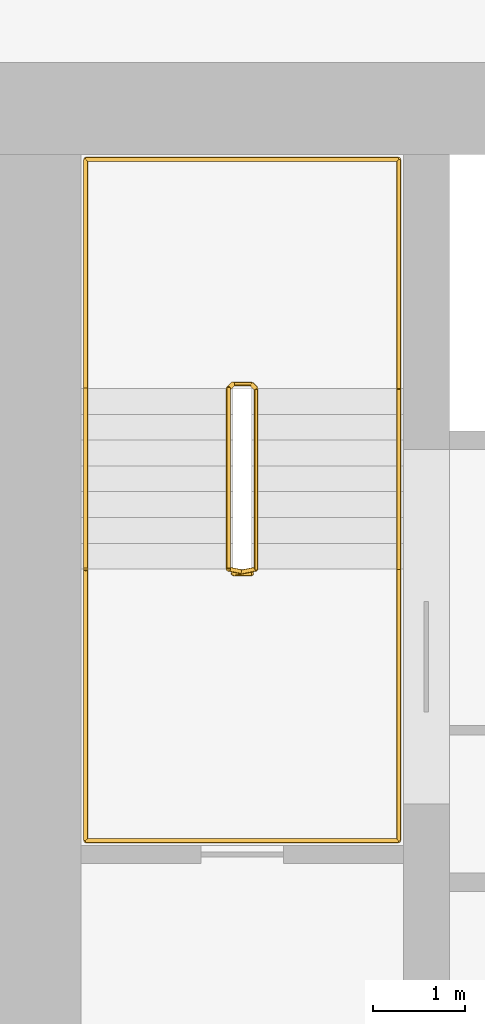
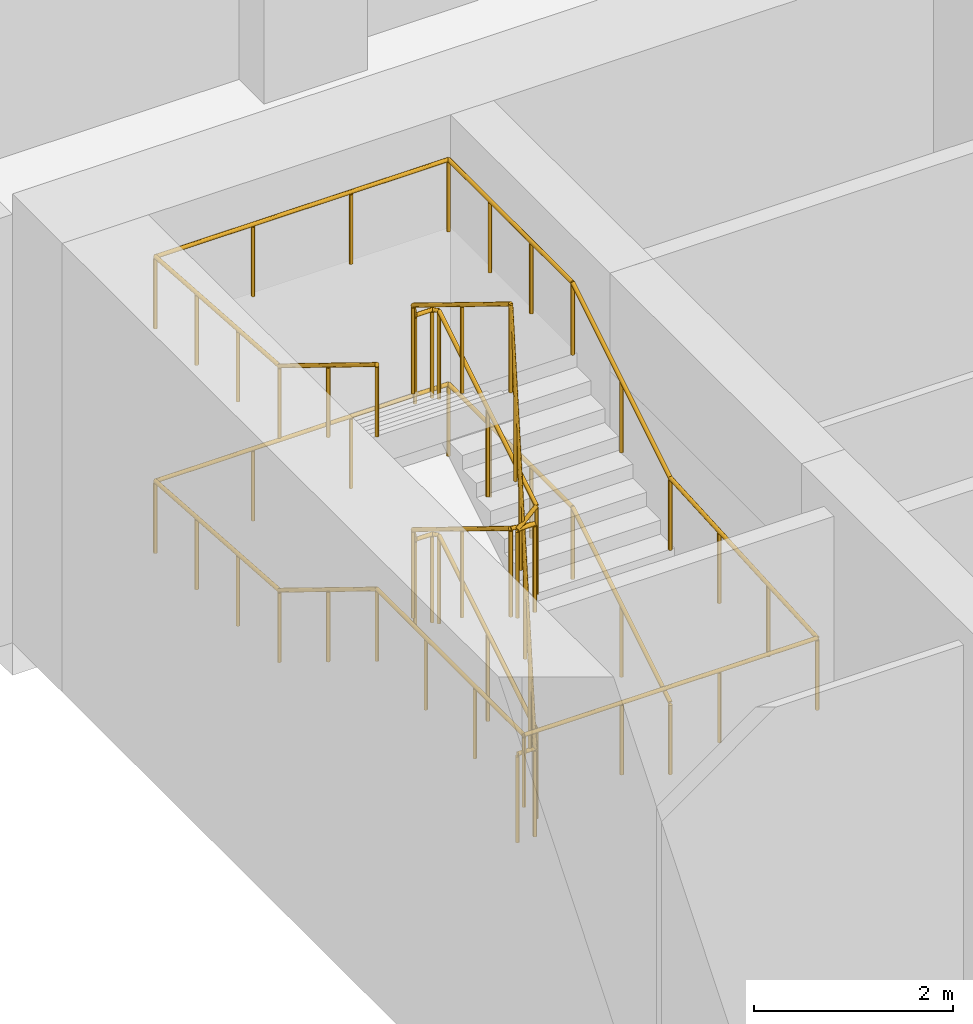
# One storey, part 10 of 10: 2 railings.
"""IFC4 building model written with IfcOpenShell, lengths in metres."""

from ifc_helpers import new_model, si_unit, direction, frame, origin, origin_2d, place, context, subcontext, project, spatial, circle, extrude, material, type_object, element, save


model = new_model("IFC4")

# Units and contexts
model_context = context("Model", 3, precision=1e-05, world=origin(), true_north=direction((0.0, 1.0)))
body_context = subcontext(model_context, "Body", "Model", "MODEL_VIEW")
ifc_project = project(units=[si_unit("LENGTHUNIT", "METRE"), si_unit("AREAUNIT", "SQUARE_METRE"), si_unit("VOLUMEUNIT", "CUBIC_METRE"), si_unit("PLANEANGLEUNIT", "RADIAN"), si_unit("MASSUNIT", "GRAM", prefix="KILO")], contexts=[model_context])

# Site, building, storey
site_placement = place(None, origin())
site = spatial("IfcSite", under=ifc_project, at=site_placement, CompositionType="ELEMENT")
building_placement = place(site_placement, origin())
building = spatial("IfcBuilding", under=site, at=building_placement, Name="Tamorin Gate", CompositionType="ELEMENT")
storey_placement = place(building_placement, frame((0.0, 0.0, 73.60009765625)))
storey = spatial("IfcBuildingStorey", under=building, at=storey_placement, Name="L17", CompositionType="ELEMENT", Elevation=73.60009765625)

# Railings
ifc_material_1 = material(Name="Painted steel balustrade", Category="steel")
railing_type_1 = type_object("IfcRailingType", Name="Stair guard 1100", PredefinedType="GUARDRAIL", material=ifc_material_1)
railing_1_placement = place(storey_placement, frame((32.89990234375, 77.0, 0.171875)))
element("IfcRailing", 1, at=railing_1_placement, inside=storey, type_object=railing_type_1, Name="L17 ST2 stair guard 1", PredefinedType="GUARDRAIL", context=body_context, shape_type="SweptSolid", body=[
    extrude(circle(Radius=0.02392578125, at=origin_2d()), frame((0.0, 0.0, 1.076171875), z_axis=(0.0, 0.852240978134, 0.523149419562), x_axis=(-1.0, 0.0, 0.0)), (0.0, 0.0, 1.0), 2.2998046875),
    extrude(circle(Radius=0.02392578125, at=origin_2d()), frame((0.0, 1.9599609375, 2.279296875), z_axis=(-0.705375805398, 0.708833529934, 0.0), x_axis=(-0.708833529934, -0.705375805398, 0.0)), (0.0, 0.0, 1.0), 0.070556640625),
    extrude(circle(Radius=0.02392578125, at=origin_2d()), frame((-0.0498046875, 2.010009765625, 2.279296875), z_axis=(-1.0, 0.0, 0.0), x_axis=(0.0, -1.0, 0.0)), (0.0, 0.0, 1.0), 0.2001953125),
    extrude(circle(Radius=0.02392578125, at=origin_2d()), frame((-0.25, 2.010009765625, 2.279296875), z_axis=(-0.268036860282, -0.26935076646, 0.924989949209), x_axis=(0.708833529934, -0.705375805398, 0.0)), (0.0, 0.0, 1.0), 0.185791015625),
    extrude(circle(Radius=0.02392578125, at=origin_2d()), frame((-0.2998046875, 1.9599609375, 2.451171875), z_axis=(0.0, -0.852240978134, 0.523149419562), x_axis=(1.0, 0.0, 0.0)), (0.0, 0.0, 1.0), 2.2998046875),
    extrude(circle(Radius=0.02392578125, at=origin_2d()), frame((-0.2998046875, 0.0, 3.654296875), z_axis=(0.98054382908, -0.196300278283, 0.0), x_axis=(0.196300278283, 0.98054382908, 0.0)), (0.0, 0.0, 1.0), 0.2548828125),
    extrude(circle(Radius=0.02392578125, at=origin_2d()), frame((-0.0498046875, -0.050048828125, 3.654296875), z_axis=(-1.0, 0.0, 0.0), x_axis=(0.0, -1.0, 0.0)), (0.0, 0.0, 1.0), 0.2001953125),
    extrude(circle(Radius=0.02392578125, at=origin_2d()), frame((-0.25, -0.050048828125, 3.654296875), z_axis=(0.81305262559, 0.162769324459, 0.558973680093), x_axis=(-0.196300278283, 0.98054382908, 0.0)), (0.0, 0.0, 1.0), 0.307373046875),
    extrude(circle(Radius=0.02392578125, at=origin_2d()), frame((0.0, 0.0, 3.826171875), z_axis=(0.0, 0.852240978134, 0.523149419562), x_axis=(-1.0, 0.0, 0.0)), (0.0, 0.0, 1.0), 2.2998046875),
    extrude(circle(Radius=0.02392578125, at=origin_2d()), frame((0.0, 1.9599609375, 5.029296875), z_axis=(-0.705375805398, 0.708833529934, 0.0), x_axis=(-0.708833529934, -0.705375805398, 0.0)), (0.0, 0.0, 1.0), 0.070556640625),
    extrude(circle(Radius=0.02392578125, at=origin_2d()), frame((-0.0498046875, 2.010009765625, 5.029296875), z_axis=(-1.0, 0.0, 0.0), x_axis=(0.0, -1.0, 0.0)), (0.0, 0.0, 1.0), 0.2001953125),
    extrude(circle(Radius=0.02392578125, at=origin_2d()), frame((-0.25, 2.010009765625, 5.029296875), z_axis=(-0.268036860282, -0.26935076646, 0.924989949209), x_axis=(0.708833529934, -0.705375805398, 0.0)), (0.0, 0.0, 1.0), 0.185791015625),
    extrude(circle(Radius=0.02392578125, at=origin_2d()), frame((-0.2998046875, 1.9599609375, 5.201171875), z_axis=(0.0, -0.852240978134, 0.523149419562), x_axis=(1.0, 0.0, 0.0)), (0.0, 0.0, 1.0), 2.2998046875),
    extrude(circle(Radius=0.02392578125, at=origin_2d()), frame((-0.2998046875, 0.0, 6.404296875), z_axis=(0.045405784895, -0.009090025296, -0.998927267692), x_axis=(0.196300278283, 0.98054382908, 0.0)), (0.0, 0.0, 1.0), 5.505859375),
    extrude(circle(Radius=0.02392578125, at=origin_2d()), frame((-0.0498046875, -0.050048828125, 0.904296875), z_axis=(-1.0, 0.0, 0.0), x_axis=(0.0, -1.0, 0.0)), (0.0, 0.0, 1.0), 0.2001953125),
    extrude(circle(Radius=0.02099609375, at=origin_2d()), origin(), (0.0, 0.0, 1.0), 1.052001953125),
    extrude(circle(Radius=0.02099609375, at=origin_2d()), frame((0.0, 0.97998046875, 0.6015625)), (0.0, 0.0, 1.0), 1.052001953125),
    extrude(circle(Radius=0.02099609375, at=origin_2d()), frame((0.0, 1.9599609375, 1.203125)), (0.0, 0.0, 1.0), 1.052001953125),
    extrude(circle(Radius=0.02099609375, at=origin_2d()), frame((-0.0498046875, 2.010009765625, 1.203125)), (0.0, 0.0, 1.0), 1.052001953125),
    extrude(circle(Radius=0.02099609375, at=origin_2d()), frame((-0.25, 2.010009765625, 1.203125)), (0.0, 0.0, 1.0), 1.052001953125),
    extrude(circle(Radius=0.02099609375, at=origin_2d()), frame((-0.2998046875, 1.9599609375, 1.375)), (0.0, 0.0, 1.0), 1.052001953125),
    extrude(circle(Radius=0.02099609375, at=origin_2d()), frame((-0.2998046875, 0.97998046875, 1.9765625)), (0.0, 0.0, 1.0), 1.052001953125),
    extrude(circle(Radius=0.02099609375, at=origin_2d()), frame((-0.2998046875, 0.0, 2.578125)), (0.0, 0.0, 1.0), 1.052001953125),
    extrude(circle(Radius=0.02099609375, at=origin_2d()), frame((-0.0498046875, -0.050048828125, 2.578125)), (0.0, 0.0, 1.0), 1.052001953125),
    extrude(circle(Radius=0.02099609375, at=origin_2d()), frame((-0.25, -0.050048828125, 2.578125)), (0.0, 0.0, 1.0), 1.052001953125),
    extrude(circle(Radius=0.02099609375, at=origin_2d()), frame((0.0, 0.0, 2.75)), (0.0, 0.0, 1.0), 1.052001953125),
    extrude(circle(Radius=0.02099609375, at=origin_2d()), frame((0.0, 0.97998046875, 3.3515625)), (0.0, 0.0, 1.0), 1.052001953125),
    extrude(circle(Radius=0.02099609375, at=origin_2d()), frame((0.0, 1.9599609375, 3.953125)), (0.0, 0.0, 1.0), 1.052001953125),
    extrude(circle(Radius=0.02099609375, at=origin_2d()), frame((-0.0498046875, 2.010009765625, 3.953125)), (0.0, 0.0, 1.0), 1.052001953125),
    extrude(circle(Radius=0.02099609375, at=origin_2d()), frame((-0.25, 2.010009765625, 3.953125)), (0.0, 0.0, 1.0), 1.052001953125),
    extrude(circle(Radius=0.02099609375, at=origin_2d()), frame((-0.2998046875, 1.9599609375, 4.125)), (0.0, 0.0, 1.0), 1.052001953125),
    extrude(circle(Radius=0.02099609375, at=origin_2d()), frame((-0.2998046875, 0.97998046875, 4.7265625)), (0.0, 0.0, 1.0), 1.052001953125),
    extrude(circle(Radius=0.02099609375, at=origin_2d()), frame((-0.2998046875, 0.0, 5.328125)), (0.0, 0.0, 1.0), 1.052001953125),
    extrude(circle(Radius=0.02099609375, at=origin_2d()), frame((-0.249755859375, -0.010009765625, 4.22802734375)), (0.0, 0.0, 1.0), 1.052001953125),
    extrude(circle(Radius=0.02099609375, at=origin_2d()), frame((-0.19970703125, -0.02001953125, 3.128173828125)), (0.0, 0.0, 1.0), 1.052001953125),
    extrude(circle(Radius=0.02099609375, at=origin_2d()), frame((-0.14990234375, -0.030029296875, 2.028076171875)), (0.0, 0.0, 1.0), 1.052001953125),
    extrude(circle(Radius=0.02099609375, at=origin_2d()), frame((-0.099853515625, -0.0400390625, 0.92822265625)), (0.0, 0.0, 1.0), 1.052001953125),
    extrude(circle(Radius=0.02099609375, at=origin_2d()), frame((-0.0498046875, -0.050048828125, -0.171875)), (0.0, 0.0, 1.0), 1.052001953125),
    extrude(circle(Radius=0.02099609375, at=origin_2d()), frame((-0.25, -0.050048828125, -0.171875)), (0.0, 0.0, 1.0), 1.052001953125),
])
ifc_material_2 = material(Name="Painted steel handrail", Category="steel")
railing_type_2 = type_object("IfcRailingType", Name="Stair handrail 900", PredefinedType="HANDRAIL", material=ifc_material_2)
railing_2_placement = place(storey_placement, frame((34.449951171875, 77.0, 0.171875)))
element("IfcRailing", 2, at=railing_2_placement, inside=storey, type_object=railing_type_2, Name="L17 ST2 stair handrail 1", PredefinedType="HANDRAIL", context=body_context, shape_type="SweptSolid", body=[
    extrude(circle(Radius=0.02392578125, at=origin_2d()), frame((0.0, 0.0, 0.8759765625), z_axis=(0.0, 0.852240978134, 0.523149419562), x_axis=(-1.0, 0.0, 0.0)), (0.0, 0.0, 1.0), 2.2998046875),
    extrude(circle(Radius=0.02392578125, at=origin_2d()), frame((0.0, 1.9599609375, 2.0791015625), z_axis=(0.0, 1.0, 0.0), x_axis=(-1.0, 0.0, 0.0)), (0.0, 0.0, 1.0), 2.489990234375),
    extrude(circle(Radius=0.02392578125, at=origin_2d()), frame((0.0, 4.449951171875, 2.0791015625), z_axis=(-1.0, 0.0, 0.0), x_axis=(0.0, -1.0, 0.0)), (0.0, 0.0, 1.0), 3.39990234375),
    extrude(circle(Radius=0.02392578125, at=origin_2d()), frame((-3.39990234375, 4.449951171875, 2.0791015625), z_axis=(0.0, -0.997626159281, 0.068862517515), x_axis=(1.0, 0.0, 0.0)), (0.0, 0.0, 1.0), 2.495849609375),
    extrude(circle(Radius=0.02392578125, at=origin_2d()), frame((-3.39990234375, 1.9599609375, 2.2509765625), z_axis=(0.0, -0.852240978134, 0.523149419562), x_axis=(1.0, 0.0, 0.0)), (0.0, 0.0, 1.0), 2.2998046875),
    extrude(circle(Radius=0.02392578125, at=origin_2d()), frame((-3.39990234375, 0.0, 3.4541015625), z_axis=(0.0, -1.0, 0.0), x_axis=(1.0, 0.0, 0.0)), (0.0, 0.0, 1.0), 2.949951171875),
    extrude(circle(Radius=0.02392578125, at=origin_2d()), frame((-3.39990234375, -2.949951171875, 3.4541015625), z_axis=(1.0, 0.0, 0.0), x_axis=(0.0, 1.0, 0.0)), (0.0, 0.0, 1.0), 3.39990234375),
    extrude(circle(Radius=0.02392578125, at=origin_2d()), frame((0.0, -2.949951171875, 3.4541015625), z_axis=(0.0, 0.99830698121, 0.058165034741), x_axis=(-1.0, 0.0, 0.0)), (0.0, 0.0, 1.0), 2.954833984375),
    extrude(circle(Radius=0.02392578125, at=origin_2d()), frame((0.0, 0.0, 3.6259765625), z_axis=(0.0, 0.852240978134, 0.523149419562), x_axis=(-1.0, 0.0, 0.0)), (0.0, 0.0, 1.0), 2.2998046875),
    extrude(circle(Radius=0.02392578125, at=origin_2d()), frame((0.0, 1.9599609375, 4.8291015625), z_axis=(0.0, 1.0, 0.0), x_axis=(-1.0, 0.0, 0.0)), (0.0, 0.0, 1.0), 2.489990234375),
    extrude(circle(Radius=0.02392578125, at=origin_2d()), frame((0.0, 4.449951171875, 4.8291015625), z_axis=(-1.0, 0.0, 0.0), x_axis=(0.0, -1.0, 0.0)), (0.0, 0.0, 1.0), 3.39990234375),
    extrude(circle(Radius=0.02392578125, at=origin_2d()), frame((-3.39990234375, 4.449951171875, 4.8291015625), z_axis=(0.0, -0.997626159281, 0.068862517515), x_axis=(1.0, 0.0, 0.0)), (0.0, 0.0, 1.0), 2.495849609375),
    extrude(circle(Radius=0.02392578125, at=origin_2d()), frame((-3.39990234375, 1.9599609375, 5.0009765625), z_axis=(0.0, -0.852240978134, 0.523149419562), x_axis=(1.0, 0.0, 0.0)), (0.0, 0.0, 1.0), 2.2998046875),
    extrude(circle(Radius=0.02099609375, at=origin_2d()), origin(), (0.0, 0.0, 1.0), 0.851806640625),
    extrude(circle(Radius=0.02099609375, at=origin_2d()), frame((0.0, 0.97998046875, 0.6015625)), (0.0, 0.0, 1.0), 0.851806640625),
    extrude(circle(Radius=0.02099609375, at=origin_2d()), frame((0.0, 1.9599609375, 1.203125)), (0.0, 0.0, 1.0), 0.851806640625),
    extrude(circle(Radius=0.02099609375, at=origin_2d()), frame((0.0, 2.7900390625, 1.203125)), (0.0, 0.0, 1.0), 0.851806640625),
    extrude(circle(Radius=0.02099609375, at=origin_2d()), frame((0.0, 3.619873046875, 1.203125)), (0.0, 0.0, 1.0), 0.851806640625),
    extrude(circle(Radius=0.02099609375, at=origin_2d()), frame((0.0, 4.449951171875, 1.203125)), (0.0, 0.0, 1.0), 0.851806640625),
    extrude(circle(Radius=0.02099609375, at=origin_2d()), frame((-1.13330078125, 4.449951171875, 1.203125)), (0.0, 0.0, 1.0), 0.851806640625),
    extrude(circle(Radius=0.02099609375, at=origin_2d()), frame((-2.2666015625, 4.449951171875, 1.203125)), (0.0, 0.0, 1.0), 0.851806640625),
    extrude(circle(Radius=0.02099609375, at=origin_2d()), frame((-3.39990234375, 4.449951171875, 1.203125)), (0.0, 0.0, 1.0), 0.851806640625),
    extrude(circle(Radius=0.02099609375, at=origin_2d()), frame((-3.39990234375, 3.619873046875, 1.260498046875)), (0.0, 0.0, 1.0), 0.851806640625),
    extrude(circle(Radius=0.02099609375, at=origin_2d()), frame((-3.39990234375, 2.7900390625, 1.317626953125)), (0.0, 0.0, 1.0), 0.851806640625),
    extrude(circle(Radius=0.02099609375, at=origin_2d()), frame((-3.39990234375, 1.9599609375, 1.375)), (0.0, 0.0, 1.0), 0.851806640625),
    extrude(circle(Radius=0.02099609375, at=origin_2d()), frame((-3.39990234375, 0.97998046875, 1.9765625)), (0.0, 0.0, 1.0), 0.851806640625),
    extrude(circle(Radius=0.02099609375, at=origin_2d()), frame((-3.39990234375, 0.0, 2.578125)), (0.0, 0.0, 1.0), 0.851806640625),
    extrude(circle(Radius=0.02099609375, at=origin_2d()), frame((-3.39990234375, -0.9833984375, 2.578125)), (0.0, 0.0, 1.0), 0.851806640625),
    extrude(circle(Radius=0.02099609375, at=origin_2d()), frame((-3.39990234375, -1.966552734375, 2.578125)), (0.0, 0.0, 1.0), 0.851806640625),
    extrude(circle(Radius=0.02099609375, at=origin_2d()), frame((-3.39990234375, -2.949951171875, 2.578125)), (0.0, 0.0, 1.0), 0.851806640625),
    extrude(circle(Radius=0.02099609375, at=origin_2d()), frame((-2.2666015625, -2.949951171875, 2.578125)), (0.0, 0.0, 1.0), 0.851806640625),
    extrude(circle(Radius=0.02099609375, at=origin_2d()), frame((-1.13330078125, -2.949951171875, 2.578125)), (0.0, 0.0, 1.0), 0.851806640625),
    extrude(circle(Radius=0.02099609375, at=origin_2d()), frame((0.0, -2.949951171875, 2.578125)), (0.0, 0.0, 1.0), 0.851806640625),
    extrude(circle(Radius=0.02099609375, at=origin_2d()), frame((0.0, -1.966552734375, 2.635498046875)), (0.0, 0.0, 1.0), 0.851806640625),
    extrude(circle(Radius=0.02099609375, at=origin_2d()), frame((0.0, -0.9833984375, 2.692626953125)), (0.0, 0.0, 1.0), 0.851806640625),
    extrude(circle(Radius=0.02099609375, at=origin_2d()), frame((0.0, 0.0, 2.75)), (0.0, 0.0, 1.0), 0.851806640625),
    extrude(circle(Radius=0.02099609375, at=origin_2d()), frame((0.0, 0.97998046875, 3.3515625)), (0.0, 0.0, 1.0), 0.851806640625),
    extrude(circle(Radius=0.02099609375, at=origin_2d()), frame((0.0, 1.9599609375, 3.953125)), (0.0, 0.0, 1.0), 0.851806640625),
    extrude(circle(Radius=0.02099609375, at=origin_2d()), frame((0.0, 2.7900390625, 3.953125)), (0.0, 0.0, 1.0), 0.851806640625),
    extrude(circle(Radius=0.02099609375, at=origin_2d()), frame((0.0, 3.619873046875, 3.953125)), (0.0, 0.0, 1.0), 0.851806640625),
    extrude(circle(Radius=0.02099609375, at=origin_2d()), frame((0.0, 4.449951171875, 3.953125)), (0.0, 0.0, 1.0), 0.851806640625),
    extrude(circle(Radius=0.02099609375, at=origin_2d()), frame((-1.13330078125, 4.449951171875, 3.953125)), (0.0, 0.0, 1.0), 0.851806640625),
    extrude(circle(Radius=0.02099609375, at=origin_2d()), frame((-2.2666015625, 4.449951171875, 3.953125)), (0.0, 0.0, 1.0), 0.851806640625),
    extrude(circle(Radius=0.02099609375, at=origin_2d()), frame((-3.39990234375, 4.449951171875, 3.953125)), (0.0, 0.0, 1.0), 0.851806640625),
    extrude(circle(Radius=0.02099609375, at=origin_2d()), frame((-3.39990234375, 3.619873046875, 4.010498046875)), (0.0, 0.0, 1.0), 0.851806640625),
    extrude(circle(Radius=0.02099609375, at=origin_2d()), frame((-3.39990234375, 2.7900390625, 4.067626953125)), (0.0, 0.0, 1.0), 0.851806640625),
    extrude(circle(Radius=0.02099609375, at=origin_2d()), frame((-3.39990234375, 1.9599609375, 4.125)), (0.0, 0.0, 1.0), 0.851806640625),
    extrude(circle(Radius=0.02099609375, at=origin_2d()), frame((-3.39990234375, 0.97998046875, 4.7265625)), (0.0, 0.0, 1.0), 0.851806640625),
    extrude(circle(Radius=0.02099609375, at=origin_2d()), frame((-3.39990234375, 0.0, 5.328125)), (0.0, 0.0, 1.0), 0.851806640625),
])

save(model, "model.ifc")
